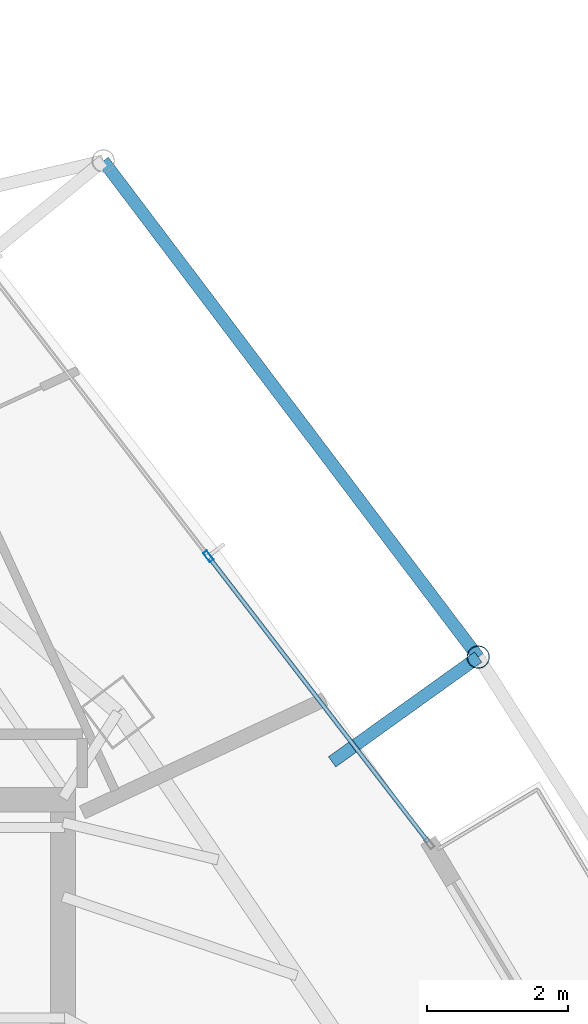
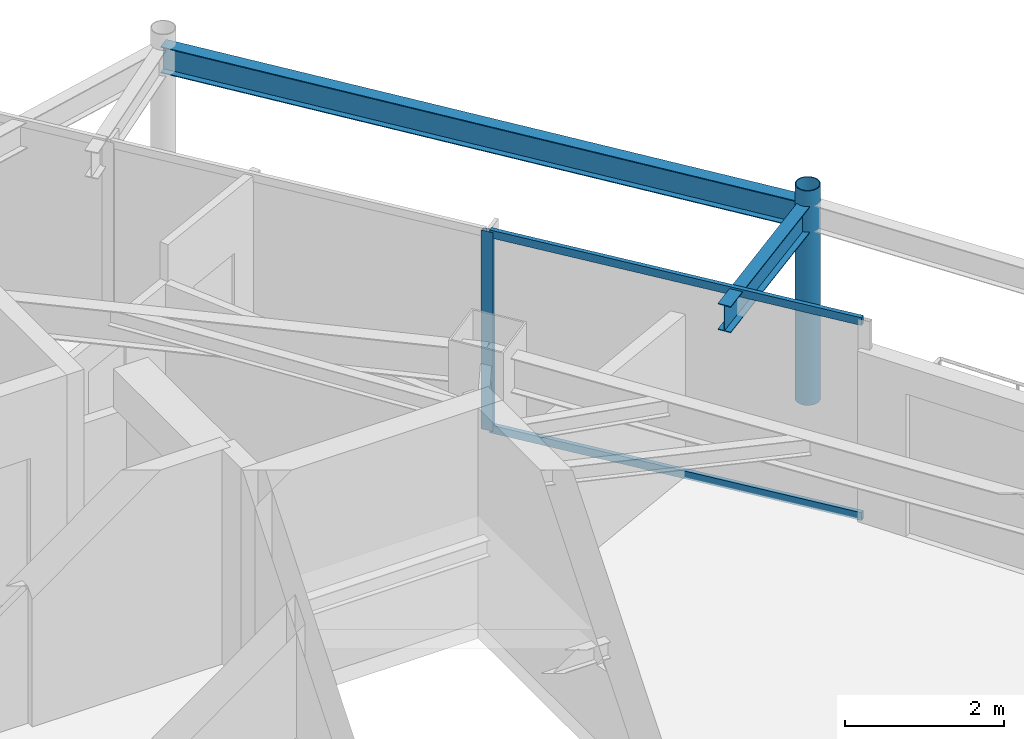
# One storey, part 27 of 33: 4 members, 2 beams, 1 element without a shape of its own.
"""IFC4 building model written with IfcOpenShell, lengths in metres."""

from ifc_helpers import new_model, si_unit, direction, frame, origin, origin_2d, place, context, subcontext, project, spatial, hollow_rectangle, hollow_circle, i_section, extrude, material, layer, layer_set, material_profile, profile_set, type_object, element, aggregate, save


model = new_model("IFC4")

# Units and contexts
model_context = context("Model", 3, precision=1e-05, world=origin(), true_north=direction((0.0, 1.0)))
body_context = subcontext(model_context, "Body", "Model", "MODEL_VIEW")
ifc_project = project(units=[si_unit("LENGTHUNIT", "METRE"), si_unit("AREAUNIT", "SQUARE_METRE"), si_unit("VOLUMEUNIT", "CUBIC_METRE"), si_unit("PLANEANGLEUNIT", "RADIAN"), si_unit("MASSUNIT", "GRAM", prefix="KILO")], contexts=[model_context])

# Site, building, storey
site_placement = place(None, origin())
site = spatial("IfcSite", under=ifc_project, at=site_placement, CompositionType="ELEMENT")
building_placement = place(site_placement, origin())
building = spatial("IfcBuilding", under=site, at=building_placement, Name="Orvanel Arch Residences", CompositionType="ELEMENT")
storey_placement = place(building_placement, frame((0.0, 0.0, 196.39990234375)))
storey = spatial("IfcBuildingStorey", under=building, at=storey_placement, Name="L55", CompositionType="ELEMENT", Elevation=196.39990234375)

# Curtain wall, member
ifc_material_1 = material(Name="Bronze-anodised aluminium AA6063-T6", Category="aluminium")
ifc_layer = layer(ifc_material_1, 0.175048828125)
ifc_layer_set = layer_set([ifc_layer], Name="Bronze-anodised aluminium AA6063-T6")
curtain_wall_type = type_object("IfcCurtainWallType", Name="CW4-HI-SYS", PredefinedType="NOTDEFINED", material=ifc_layer_set)
curtain_wall_placement = place(storey_placement, origin())
curtain_wall = element("IfcCurtainWall", 1, at=curtain_wall_placement, inside=storey, type_object=curtain_wall_type, Name="L55 CW4-HI-SYS Unitised Curtain Wall", PredefinedType="NOTDEFINED")
ifc_material_profile_1 = material_profile(ifc_material_1, hollow_rectangle(XDim=0.06494140625, YDim=0.159912109375, WallThickness=0.00390625, at=origin_2d()), Name="ALU160x65x4")
ifc_profile_set_1 = profile_set([ifc_material_profile_1], Name="Bronze-anodised aluminium AA6063-T6")
member_type_1 = type_object("IfcMemberType", Name="MUL-160x65", PredefinedType="MULLION", material=ifc_profile_set_1)
member_1_placement = place(storey_placement, frame((41.635986328125, 37.32470703125, 0.0), z_axis=(0.0, 0.0, 1.0), x_axis=(-0.792297867049, -0.610134485069, 0.0)))
member_1 = element("IfcMember", 2, at=member_1_placement, type_object=member_type_1, Name="CW-S4 mullion 2", PredefinedType="MULLION", context=body_context, shape_type="SweptSolid", body=[
    extrude(hollow_rectangle(XDim=0.06494140625, YDim=0.159912109375, WallThickness=0.00390625, at=origin_2d()), origin(), (0.0, 0.0, 1.0), 3.06005859375),
])

# Beams
ifc_material_2 = material(Name="Structural steel AS/NZS 3679.1 Grade 300 (300 MPa)", Category="steel")
ifc_material_profile_2 = material_profile(ifc_material_2, i_section(OverallWidth=0.177978515625, OverallDepth=0.406005859375, WebThickness=0.0078125, FlangeThickness=0.0126953125, at=origin_2d()), Name="410UB59.7")
ifc_profile_set_2 = profile_set([ifc_material_profile_2], Name="Structural steel AS/NZS 3679.1 Grade 300 (300 MPa)")
beam_type = type_object("IfcBeamType", Name="OB-410UB-EXT", PredefinedType="SPANDREL", material=ifc_profile_set_2)
beam_1_placement = place(storey_placement, frame((43.39111328125, 34.409912109375, 2.857177734375), z_axis=(0.812573742569, 0.582858398659, 0.0), x_axis=(-0.582858398659, 0.812573742569, 0.0)))
element("IfcBeam", 3, at=beam_1_placement, inside=storey, type_object=beam_type, Name="L55 Outer Frame Radial Tie Beam 11", PredefinedType="SPANDREL", context=body_context, shape_type="SweptSolid", body=[
    extrude(i_section(OverallWidth=0.177978515625, OverallDepth=0.406005859375, WebThickness=0.0078125, FlangeThickness=0.0126953125, at=origin_2d()), origin(), (0.0, 0.0, 1.0), 2.549560546875),
])
beam_2_placement = place(storey_placement, frame((45.462890625, 35.89599609375, 2.857177734375), z_axis=(-0.602880090841, 0.797831809386, 0.0), x_axis=(-0.797831809386, -0.602880090841, 0.0)))
element("IfcBeam", 4, at=beam_2_placement, inside=storey, type_object=beam_type, Name="L55 Outer Perimeter Floor Ring Beam 11", PredefinedType="SPANDREL", context=body_context, shape_type="SweptSolid", body=[
    extrude(i_section(OverallWidth=0.177978515625, OverallDepth=0.406005859375, WebThickness=0.0078125, FlangeThickness=0.0126953125, at=origin_2d()), origin(), (0.0, 0.0, 1.0), 8.817626953125),
])

# Member
ifc_material_3 = material(Name="Structural steel AS/NZS 1163 C350L0 (Grade 350)", Category="steel")
ifc_material_profile_3 = material_profile(ifc_material_3, hollow_circle(Radius=0.162109375, WallThickness=0.0126953125, at=origin_2d()), Name="CHS324x12.7")
ifc_profile_set_3 = profile_set([ifc_material_profile_3], Name="Structural steel AS/NZS 1163 C350L0 (Grade 350)")
member_type_2 = type_object("IfcMemberType", Name="ST-324CHS-EXT", PredefinedType="STRUT", material=ifc_profile_set_3)
member_2_placement = place(storey_placement, frame((45.462890625, 35.89599609375, 0.0), z_axis=(0.0, 0.0, 1.0), x_axis=(1.0, 0.0, 0.0)))
element("IfcMember", 5, at=member_2_placement, inside=storey, type_object=member_type_2, Name="L55 Outer Perimeter Frame Post 11", PredefinedType="STRUT", context=body_context, shape_type="SweptSolid", body=[
    extrude(hollow_circle(Radius=0.162109375, WallThickness=0.0126953125, at=origin_2d()), origin(), (0.0, 0.0, 1.0), 3.300048828125),
])

ifc_material_profile_4 = material_profile(ifc_material_1, hollow_rectangle(XDim=0.06005859375, YDim=0.1201171875, WallThickness=0.00341796875, at=origin_2d()), Name="ALU120x60x3.5")
ifc_profile_set_4 = profile_set([ifc_material_profile_4], Name="Bronze-anodised aluminium AA6063-T6")
member_type_3 = type_object("IfcMemberType", Name="TRN-120x60", PredefinedType="USERDEFINED", material=ifc_profile_set_4)
member_3_placement = place(storey_placement, frame((44.750244140625, 33.280517578125, 0.030029296875), z_axis=(-0.610141044028, 0.792292816068, 0.0), x_axis=(-0.792292816068, -0.610141044028, 0.0)))
member_3 = element("IfcMember", 6, at=member_3_placement, type_object=member_type_3, Name="CW-S4 transom 1.1", ObjectType="TRANSOM", PredefinedType="USERDEFINED", context=body_context, shape_type="SweptSolid", body=[
    extrude(hollow_rectangle(XDim=0.06005859375, YDim=0.1201171875, WallThickness=0.00341796875, at=origin_2d()), origin(), (0.0, 0.0, 1.0), 5.07177734375),
])

member_4_placement = place(storey_placement, frame((44.750244140625, 33.280517578125, 3.030029296875), z_axis=(-0.610141044028, 0.792292816068, 0.0), x_axis=(-0.792292816068, -0.610141044028, 0.0)))
member_4 = element("IfcMember", 7, at=member_4_placement, type_object=member_type_3, Name="CW-S4 transom 1.2", ObjectType="TRANSOM", PredefinedType="USERDEFINED", context=body_context, shape_type="SweptSolid", body=[
    extrude(hollow_rectangle(XDim=0.06005859375, YDim=0.1201171875, WallThickness=0.00341796875, at=origin_2d()), origin(), (0.0, 0.0, 1.0), 5.07177734375),
])

aggregate(curtain_wall, [member_1, member_3, member_4])

save(model, "model.ifc")
